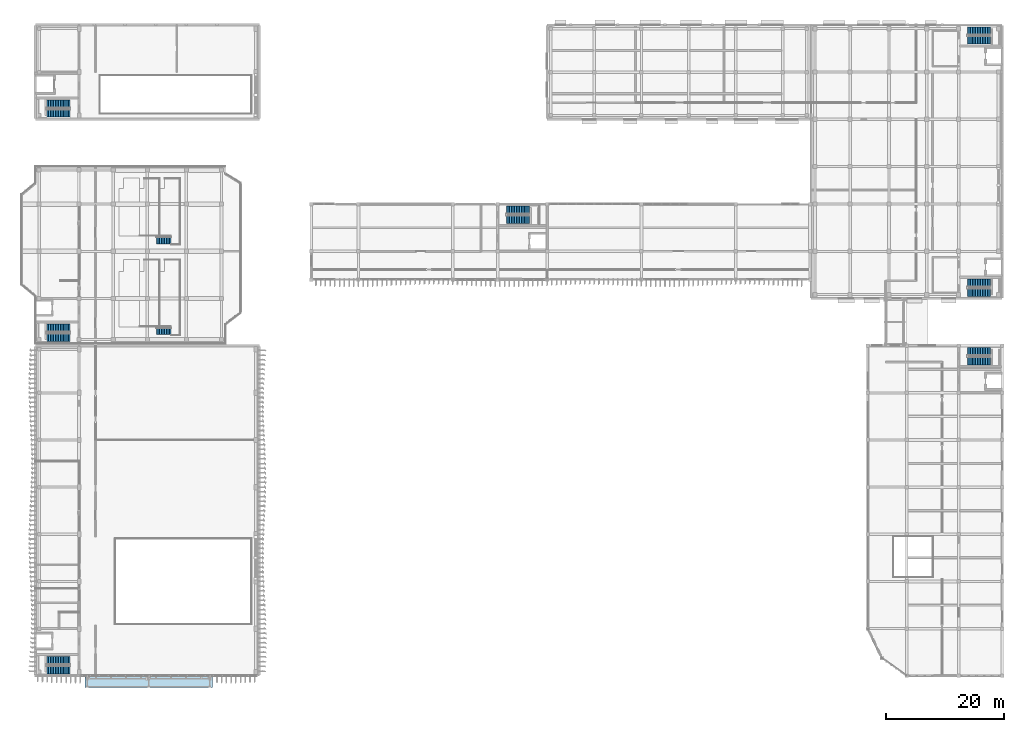
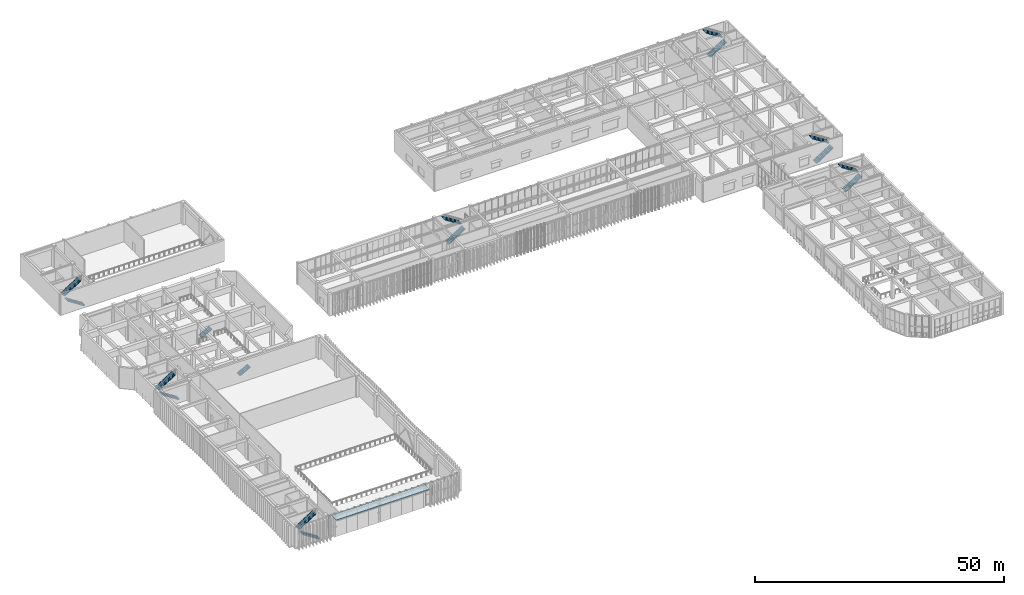
# One storey, part 46 of 64: 16 stair flights, 1 roof, 9 elements without a shape of their own.
"""IFC4 building model written with IfcOpenShell, lengths in metres."""

import ifcopenshell
import ifcopenshell.guid

model = None  # the IFC model being written
_history = None  # IfcOwnerHistory: only IFC2X3 demands one
_inside = {}  # id of a spatial element -> (the spatial element, [elements in it])
_under = {}  # id of a project, library or spatial element -> (it, [spatial elements below it])
_declared = {}  # id of a project -> (the project, [libraries it declares])
_typed = {}  # id of a type object -> (the type object, [elements of that type])
_made_of = {}  # id of a material, layer set ... -> (it, [elements and type objects made of it])


def new_model(schema):
    """Start an empty IFC model of exactly this schema.

    Asked for "IFC4X3", IfcOpenShell would pick the latest addendum, in which some entities
    have other attributes; the version numbers below select the first issue.
    IFC2X3 requires an IfcOwnerHistory on every rooted entity: one is made here for all.
    """
    global model, _history
    if schema == "IFC4X3":
        model = ifcopenshell.file(schema_version=(4, 3, 0, 0))
    else:
        model = ifcopenshell.file(schema=schema)
    _inside.clear()
    _under.clear()
    _declared.clear()
    _typed.clear()
    _made_of.clear()
    _history = None
    if model.schema == "IFC2X3":
        org = make("IfcOrganization", Name="unknown")
        user = make(
            "IfcPersonAndOrganization",
            ThePerson=make("IfcPerson", FamilyName="unknown"),
            TheOrganization=org,
        )
        app = make(
            "IfcApplication",
            ApplicationDeveloper=org,
            Version="unknown",
            ApplicationFullName="unknown",
            ApplicationIdentifier="unknown",
        )
        _history = make(
            "IfcOwnerHistory",
            OwningUser=user,
            OwningApplication=app,
            ChangeAction="ADDED",
            CreationDate=0,
        )
    return model


def make(cls, **values):
    """One entity of the class cls with the attributes given. An attribute that is None is left unset."""
    return model.create_entity(
        cls, **{name: value for name, value in values.items() if value is not None}
    )


def rooted(cls, **values):
    """An entity with a GlobalId (a new one), such as an element, a storey or a relation."""
    return make(cls, GlobalId=ifcopenshell.guid.new(), OwnerHistory=_history, **values)


def si_unit(unit_type, name, prefix=None):
    """IfcSIUnit, for example si_unit("LENGTHUNIT", "METRE", prefix="MILLI")."""
    return make("IfcSIUnit", UnitType=unit_type, Prefix=prefix, Name=name)


def assignment(units):
    """IfcUnitAssignment: the units of a project."""
    return None if units is None else make("IfcUnitAssignment", Units=units)


def point(xyz):
    """IfcCartesianPoint."""
    return None if xyz is None else make("IfcCartesianPoint", Coordinates=xyz)


def direction(xyz):
    """IfcDirection."""
    return None if xyz is None else make("IfcDirection", DirectionRatios=xyz)


def frame(location, z_axis=None, x_axis=None):
    """IfcAxis2Placement3D, a coordinate frame: its origin and axes. An axis left out is left unset."""
    return make(
        "IfcAxis2Placement3D",
        Location=point(location),
        Axis=direction(z_axis),
        RefDirection=direction(x_axis),
    )


def origin():
    """The frame at (0, 0, 0) with its axes left unset."""
    return frame((0.0, 0.0, 0.0))


def place(relative_to, where):
    """IfcLocalPlacement: puts the frame where relative to a parent placement (None: the world)."""
    return make(
        "IfcLocalPlacement", PlacementRelTo=relative_to, RelativePlacement=where
    )


def context(
    kind, dimensions, precision=None, world=None, true_north=None, identifier=None
):
    """IfcGeometricRepresentationContext, for example the 3D "Model" context."""
    return make(
        "IfcGeometricRepresentationContext",
        ContextIdentifier=identifier,
        ContextType=kind,
        CoordinateSpaceDimension=dimensions,
        Precision=precision,
        WorldCoordinateSystem=world,
        TrueNorth=true_north,
    )


def subcontext(parent, identifier, kind, view, scale=None):
    """IfcGeometricRepresentationSubContext, for example "Body" below "Model"."""
    return make(
        "IfcGeometricRepresentationSubContext",
        ContextIdentifier=identifier,
        ContextType=kind,
        ParentContext=parent,
        TargetScale=scale,
        TargetView=view,
    )


def project(units=None, contexts=None):
    """IfcProject with its units and contexts."""
    return rooted(
        "IfcProject",
        Name="project",
        RepresentationContexts=contexts,
        UnitsInContext=assignment(units),
    )


def spatial(cls, under=None, at=None, **own):
    """A site, building, storey or space (cls), placed at a placement, below another one or the project."""
    s = rooted(cls, ObjectPlacement=at, **own)
    if under is not None:
        _under.setdefault(under.id(), (under, []))[1].append(s)
    return s


def polyline(points):
    """IfcPolyline through the points."""
    return make("IfcPolyline", Points=[point(p) for p in points])


def outline(outer, holes=None, kind="AREA"):
    """IfcArbitraryClosedProfileDef: a profile drawn as a closed curve; with holes, ...WithVoids."""
    if holes is None:
        return make("IfcArbitraryClosedProfileDef", ProfileType=kind, OuterCurve=outer)
    return make(
        "IfcArbitraryProfileDefWithVoids",
        ProfileType=kind,
        OuterCurve=outer,
        InnerCurves=holes,
    )


def extrude(swept, where, along, depth):
    """IfcExtrudedAreaSolid: the profile swept, set in the frame where, extruded along a direction by depth."""
    return make(
        "IfcExtrudedAreaSolid",
        SweptArea=swept,
        Position=where,
        ExtrudedDirection=direction(along),
        Depth=depth,
    )


def shape(context_of_items, identifier, shape_type, items):
    """IfcShapeRepresentation: the items that make up one representation, for example the "Body"."""
    return make(
        "IfcShapeRepresentation",
        ContextOfItems=context_of_items,
        RepresentationIdentifier=identifier,
        RepresentationType=shape_type,
        Items=items,
    )


def material(Name=None, Category=None):
    """IfcMaterial."""
    return make("IfcMaterial", Name=Name, Category=Category)


def made_of(thing, what):
    """Note that an element or type object is made of a material, layer set ...; save() writes the relation."""
    if what is not None:
        _made_of.setdefault(what.id(), (what, []))[1].append(thing)
    return thing


def type_object(cls, material=None, **own):
    """A type object (cls), such as IfcWallType, which elements share."""
    return made_of(rooted(cls, **own), material)


def element(
    cls,
    number,
    at=None,
    inside=None,
    cuts=None,
    type_object=None,
    material=None,
    context=None,
    identifier="Body",
    shape_type=None,
    held_by="IfcProductDefinitionShape",
    body=None,
    shapes=None,
    **own,
):
    """One element of the class cls, such as IfcWall. Its Tag is "e" and its number.

    at: its placement. inside: the storey or other place that contains it. cuts: it is an
    opening in that element (IfcRelVoidsElement). A single representation is given by context,
    identifier, shape_type and body (its items); several are given by shapes. held_by: the class
    of the entity that holds the representations. save() writes the other relations.
    """
    e = rooted(cls, Tag="e%d" % number, ObjectPlacement=at, **own)
    if body is not None:
        shapes = [shape(context, identifier, shape_type, body)]
    if shapes is not None:
        e.Representation = make(held_by, Representations=shapes)
    if inside is not None:
        _inside.setdefault(inside.id(), (inside, []))[1].append(e)
    if cuts is not None:
        rooted(
            "IfcRelVoidsElement", RelatingBuildingElement=cuts, RelatedOpeningElement=e
        )
    if type_object is not None:
        _typed.setdefault(type_object.id(), (type_object, []))[1].append(e)
    return made_of(e, material)


def aggregate(whole, parts):
    """IfcRelAggregates: a whole, such as a stair, and the parts it consists of."""
    return rooted("IfcRelAggregates", RelatingObject=whole, RelatedObjects=parts)


def save(model, path):
    """Write the relations noted so far, then the file.

    IfcRelAggregates (storeys below a building ...), IfcRelContainedInSpatialStructure (elements
    in a storey), IfcRelDefinesByType, IfcRelAssociatesMaterial and IfcRelDeclares: one each for
    every whole, place, type object, material and project.
    """
    for whole, parts in _under.values():
        aggregate(whole, parts)
    for where, things in _inside.values():
        rooted(
            "IfcRelContainedInSpatialStructure",
            RelatedElements=things,
            RelatingStructure=where,
        )
    for kind, things in _typed.values():
        rooted("IfcRelDefinesByType", RelatedObjects=things, RelatingType=kind)
    for what, things in _made_of.values():
        rooted("IfcRelAssociatesMaterial", RelatedObjects=things, RelatingMaterial=what)
    for by, libraries in _declared.values():
        rooted("IfcRelDeclares", RelatingContext=by, RelatedDefinitions=libraries)
    model.write(path)


model = new_model("IFC4")

# Units and contexts
model_context = context("Model", 3, precision=1e-05, world=origin(), true_north=direction((0.0, 1.0)))
body_context = subcontext(model_context, "Body", "Model", "MODEL_VIEW")
ifc_project = project(units=[si_unit("LENGTHUNIT", "METRE"), si_unit("AREAUNIT", "SQUARE_METRE"), si_unit("VOLUMEUNIT", "CUBIC_METRE"), si_unit("PLANEANGLEUNIT", "RADIAN"), si_unit("MASSUNIT", "GRAM", prefix="KILO")], contexts=[model_context])

# Site, building, storey
site_placement = place(None, origin())
site = spatial("IfcSite", under=ifc_project, at=site_placement, CompositionType="ELEMENT")
building_placement = place(site_placement, origin())
building = spatial("IfcBuilding", under=site, at=building_placement, Name="Cinchona Park Media Centre", CompositionType="ELEMENT")
storey_placement = place(building_placement, frame((0.0, 0.0, 10.199951171875)))
storey = spatial("IfcBuildingStorey", under=building, at=storey_placement, Name="L02", CompositionType="ELEMENT", Elevation=10.199951171875)

# Stair, stair flights
ifc_material_1 = material(Name="Concrete C35/45", Category="concrete")
stair_type_1 = type_object("IfcStairType", Name="STAIR-ST1-HT54", PredefinedType="HALF_TURN_STAIR", material=ifc_material_1)
stair_1_placement = place(storey_placement, origin())
stair_1 = element("IfcStair", 1, at=stair_1_placement, inside=storey, type_object=stair_type_1, Name="Exit Stair ST1 L02", PredefinedType="HALF_TURN_STAIR")
ifc_material_2 = material(Name="Concrete C35/45", Category="concrete")
stair_flight_type_1 = type_object("IfcStairFlightType", Name="FLIGHT-ST1", PredefinedType="STRAIGHT", material=ifc_material_2)
stair_flight_1_placement = place(storey_placement, frame((166.10009765625, 72.6201171875, 0.0), z_axis=(0.0, 0.0, 1.0), x_axis=(1.0, 0.0, 0.0)))
stair_flight_1 = element("IfcStairFlight", 2, at=stair_flight_1_placement, type_object=stair_flight_type_1, Name="ST1 flight 1", NumberOfRisers=15, NumberOfTreads=14, PredefinedType="STRAIGHT", RiserHeight=0.18, TreadLength=0.28, context=body_context, shape_type="SweptSolid", body=[
    extrude(outline(polyline([(0.0, 0.0), (0.0, 0.179931640625), (0.280029296875, 0.179931640625), (0.280029296875, 0.360107421875), (0.56005859375, 0.360107421875), (0.56005859375, 0.5400390625), (0.840087890625, 0.5400390625), (0.840087890625, 0.719970703125), (1.1201171875, 0.719970703125), (1.1201171875, 0.89990234375), (1.39990234375, 0.89990234375), (1.39990234375, 1.080078125), (1.679931640625, 1.080078125), (1.679931640625, 1.260009765625), (1.9599609375, 1.260009765625), (1.9599609375, 1.43994140625), (2.239990234375, 1.43994140625), (2.239990234375, 1.6201171875), (2.52001953125, 1.6201171875), (2.52001953125, 1.800048828125), (2.800048828125, 1.800048828125), (2.800048828125, 1.97998046875), (3.080078125, 1.97998046875), (3.080078125, 2.159912109375), (3.360107421875, 2.159912109375), (3.360107421875, 2.340087890625), (3.639892578125, 2.340087890625), (3.639892578125, 2.52001953125), (3.919921875, 2.52001953125), (3.919921875, 2.699951171875), (3.919921875, 2.329833984375), (0.295654296875, 0.0), (0.0, 0.0)])), frame((0.0, 0.68017578125, 0.0), z_axis=(0.0, -1.0, 0.0), x_axis=(1.0, 0.0, 0.0)), (0.0, 0.0, 1.0), 1.360107421875),
])
stair_flight_2_placement = place(storey_placement, frame((170.02001953125, 74.179931640625, 2.699951171875), z_axis=(0.0, 0.0, 1.0), x_axis=(-1.0, 0.0, 0.0)))
stair_flight_2 = element("IfcStairFlight", 3, at=stair_flight_2_placement, type_object=stair_flight_type_1, Name="ST1 flight 2", NumberOfRisers=15, NumberOfTreads=14, PredefinedType="STRAIGHT", RiserHeight=0.18, TreadLength=0.28, context=body_context, shape_type="SweptSolid", body=[
    extrude(outline(polyline([(0.0, 0.0), (0.0, 0.179931640625), (0.280029296875, 0.179931640625), (0.280029296875, 0.360107421875), (0.56005859375, 0.360107421875), (0.56005859375, 0.5400390625), (0.840087890625, 0.5400390625), (0.840087890625, 0.719970703125), (1.1201171875, 0.719970703125), (1.1201171875, 0.89990234375), (1.39990234375, 0.89990234375), (1.39990234375, 1.080078125), (1.679931640625, 1.080078125), (1.679931640625, 1.260009765625), (1.9599609375, 1.260009765625), (1.9599609375, 1.43994140625), (2.239990234375, 1.43994140625), (2.239990234375, 1.6201171875), (2.52001953125, 1.6201171875), (2.52001953125, 1.800048828125), (2.800048828125, 1.800048828125), (2.800048828125, 1.97998046875), (3.080078125, 1.97998046875), (3.080078125, 2.159912109375), (3.360107421875, 2.159912109375), (3.360107421875, 2.340087890625), (3.639892578125, 2.340087890625), (3.639892578125, 2.52001953125), (3.919921875, 2.52001953125), (3.919921875, 2.699951171875), (3.919921875, 2.329833984375), (0.295654296875, 0.0), (0.0, 0.0)])), frame((0.0, 0.68017578125, 0.0), z_axis=(0.0, -1.0, 0.0), x_axis=(1.0, 0.0, 0.0)), (0.0, 0.0, 1.0), 1.360107421875),
])
aggregate(stair_1, [stair_flight_1, stair_flight_2])

ifc_material_3 = material(Name="Concrete C35/45", Category="concrete")
stair_type_2 = type_object("IfcStairType", Name="STAIR-ST2-HT54", PredefinedType="HALF_TURN_STAIR", material=ifc_material_3)
stair_2_placement = place(storey_placement, origin())
stair_2 = element("IfcStair", 4, at=stair_2_placement, inside=storey, type_object=stair_type_2, Name="Exit Stair ST2 L02", PredefinedType="HALF_TURN_STAIR")
ifc_material_4 = material(Name="Concrete C35/45", Category="concrete")
stair_flight_type_2 = type_object("IfcStairFlightType", Name="FLIGHT-ST2", PredefinedType="STRAIGHT", material=ifc_material_4)
stair_flight_3_placement = place(storey_placement, frame((166.10009765625, 115.419921875, 0.0), z_axis=(0.0, 0.0, 1.0), x_axis=(1.0, 0.0, 0.0)))
stair_flight_3 = element("IfcStairFlight", 5, at=stair_flight_3_placement, type_object=stair_flight_type_2, Name="ST2 flight 1", NumberOfRisers=15, NumberOfTreads=14, PredefinedType="STRAIGHT", RiserHeight=0.18, TreadLength=0.28, context=body_context, shape_type="SweptSolid", body=[
    extrude(outline(polyline([(0.0, 0.0), (0.0, 0.179931640625), (0.280029296875, 0.179931640625), (0.280029296875, 0.360107421875), (0.56005859375, 0.360107421875), (0.56005859375, 0.5400390625), (0.840087890625, 0.5400390625), (0.840087890625, 0.719970703125), (1.1201171875, 0.719970703125), (1.1201171875, 0.89990234375), (1.39990234375, 0.89990234375), (1.39990234375, 1.080078125), (1.679931640625, 1.080078125), (1.679931640625, 1.260009765625), (1.9599609375, 1.260009765625), (1.9599609375, 1.43994140625), (2.239990234375, 1.43994140625), (2.239990234375, 1.6201171875), (2.52001953125, 1.6201171875), (2.52001953125, 1.800048828125), (2.800048828125, 1.800048828125), (2.800048828125, 1.97998046875), (3.080078125, 1.97998046875), (3.080078125, 2.159912109375), (3.360107421875, 2.159912109375), (3.360107421875, 2.340087890625), (3.639892578125, 2.340087890625), (3.639892578125, 2.52001953125), (3.919921875, 2.52001953125), (3.919921875, 2.699951171875), (3.919921875, 2.329833984375), (0.295654296875, 0.0), (0.0, 0.0)])), frame((0.0, 0.68017578125, 0.0), z_axis=(0.0, -1.0, 0.0), x_axis=(1.0, 0.0, 0.0)), (0.0, 0.0, 1.0), 1.360107421875),
])
stair_flight_4_placement = place(storey_placement, frame((170.02001953125, 116.97998046875, 2.699951171875), z_axis=(0.0, 0.0, 1.0), x_axis=(-1.0, 0.0, 0.0)))
stair_flight_4 = element("IfcStairFlight", 6, at=stair_flight_4_placement, type_object=stair_flight_type_2, Name="ST2 flight 2", NumberOfRisers=15, NumberOfTreads=14, PredefinedType="STRAIGHT", RiserHeight=0.18, TreadLength=0.28, context=body_context, shape_type="SweptSolid", body=[
    extrude(outline(polyline([(0.0, 0.0), (0.0, 0.179931640625), (0.280029296875, 0.179931640625), (0.280029296875, 0.360107421875), (0.56005859375, 0.360107421875), (0.56005859375, 0.5400390625), (0.840087890625, 0.5400390625), (0.840087890625, 0.719970703125), (1.1201171875, 0.719970703125), (1.1201171875, 0.89990234375), (1.39990234375, 0.89990234375), (1.39990234375, 1.080078125), (1.679931640625, 1.080078125), (1.679931640625, 1.260009765625), (1.9599609375, 1.260009765625), (1.9599609375, 1.43994140625), (2.239990234375, 1.43994140625), (2.239990234375, 1.6201171875), (2.52001953125, 1.6201171875), (2.52001953125, 1.800048828125), (2.800048828125, 1.800048828125), (2.800048828125, 1.97998046875), (3.080078125, 1.97998046875), (3.080078125, 2.159912109375), (3.360107421875, 2.159912109375), (3.360107421875, 2.340087890625), (3.639892578125, 2.340087890625), (3.639892578125, 2.52001953125), (3.919921875, 2.52001953125), (3.919921875, 2.699951171875), (3.919921875, 2.329833984375), (0.295654296875, 0.0), (0.0, 0.0)])), frame((0.0, 0.68017578125, 0.0), z_axis=(0.0, -1.0, 0.0), x_axis=(1.0, 0.0, 0.0)), (0.0, 0.0, 1.0), 1.360107421875),
])
aggregate(stair_2, [stair_flight_3, stair_flight_4])

ifc_material_5 = material(Name="Concrete C35/45", Category="concrete")
stair_type_3 = type_object("IfcStairType", Name="STAIR-ST3-HT54", PredefinedType="HALF_TURN_STAIR", material=ifc_material_5)
stair_3_placement = place(storey_placement, origin())
stair_3 = element("IfcStair", 7, at=stair_3_placement, inside=storey, type_object=stair_type_3, Name="Exit Stair ST3 L02", PredefinedType="HALF_TURN_STAIR")
ifc_material_6 = material(Name="Concrete C35/45", Category="concrete")
stair_flight_type_3 = type_object("IfcStairFlightType", Name="FLIGHT-ST3", PredefinedType="STRAIGHT", material=ifc_material_6)
stair_flight_5_placement = place(storey_placement, frame((13.89990234375, 65.02001953125, 0.0), z_axis=(0.0, 0.0, 1.0), x_axis=(-1.0, 0.0, 0.0)))
stair_flight_5 = element("IfcStairFlight", 8, at=stair_flight_5_placement, type_object=stair_flight_type_3, Name="ST3 flight 1", NumberOfRisers=15, NumberOfTreads=14, PredefinedType="STRAIGHT", RiserHeight=0.18, TreadLength=0.28, context=body_context, shape_type="SweptSolid", body=[
    extrude(outline(polyline([(0.0, 0.0), (0.0, 0.179931640625), (0.280029296875, 0.179931640625), (0.280029296875, 0.360107421875), (0.56005859375, 0.360107421875), (0.56005859375, 0.5400390625), (0.840087890625, 0.5400390625), (0.840087890625, 0.719970703125), (1.1201171875, 0.719970703125), (1.1201171875, 0.89990234375), (1.39990234375, 0.89990234375), (1.39990234375, 1.080078125), (1.679931640625, 1.080078125), (1.679931640625, 1.260009765625), (1.9599609375, 1.260009765625), (1.9599609375, 1.43994140625), (2.239990234375, 1.43994140625), (2.239990234375, 1.6201171875), (2.52001953125, 1.6201171875), (2.52001953125, 1.800048828125), (2.800048828125, 1.800048828125), (2.800048828125, 1.97998046875), (3.080078125, 1.97998046875), (3.080078125, 2.159912109375), (3.360107421875, 2.159912109375), (3.360107421875, 2.340087890625), (3.639892578125, 2.340087890625), (3.639892578125, 2.52001953125), (3.919921875, 2.52001953125), (3.919921875, 2.699951171875), (3.919921875, 2.329833984375), (0.295654296875, 0.0), (0.0, 0.0)])), frame((0.0, 0.68017578125, 0.0), z_axis=(0.0, -1.0, 0.0), x_axis=(1.0, 0.0, 0.0)), (0.0, 0.0, 1.0), 1.360107421875),
])
stair_flight_6_placement = place(storey_placement, frame((9.97998046875, 66.580078125, 2.699951171875), z_axis=(0.0, 0.0, 1.0), x_axis=(1.0, 0.0, 0.0)))
stair_flight_6 = element("IfcStairFlight", 9, at=stair_flight_6_placement, type_object=stair_flight_type_3, Name="ST3 flight 2", NumberOfRisers=15, NumberOfTreads=14, PredefinedType="STRAIGHT", RiserHeight=0.18, TreadLength=0.28, context=body_context, shape_type="SweptSolid", body=[
    extrude(outline(polyline([(0.0, 0.0), (0.0, 0.179931640625), (0.280029296875, 0.179931640625), (0.280029296875, 0.360107421875), (0.56005859375, 0.360107421875), (0.56005859375, 0.5400390625), (0.840087890625, 0.5400390625), (0.840087890625, 0.719970703125), (1.1201171875, 0.719970703125), (1.1201171875, 0.89990234375), (1.39990234375, 0.89990234375), (1.39990234375, 1.080078125), (1.679931640625, 1.080078125), (1.679931640625, 1.260009765625), (1.9599609375, 1.260009765625), (1.9599609375, 1.43994140625), (2.239990234375, 1.43994140625), (2.239990234375, 1.6201171875), (2.52001953125, 1.6201171875), (2.52001953125, 1.800048828125), (2.800048828125, 1.800048828125), (2.800048828125, 1.97998046875), (3.080078125, 1.97998046875), (3.080078125, 2.159912109375), (3.360107421875, 2.159912109375), (3.360107421875, 2.340087890625), (3.639892578125, 2.340087890625), (3.639892578125, 2.52001953125), (3.919921875, 2.52001953125), (3.919921875, 2.699951171875), (3.919921875, 2.329833984375), (0.295654296875, 0.0), (0.0, 0.0)])), frame((0.0, 0.68017578125, 0.0), z_axis=(0.0, -1.0, 0.0), x_axis=(1.0, 0.0, 0.0)), (0.0, 0.0, 1.0), 1.360107421875),
])
aggregate(stair_3, [stair_flight_5, stair_flight_6])

ifc_material_7 = material(Name="Concrete C35/45", Category="concrete")
stair_type_4 = type_object("IfcStairType", Name="STAIR-ST4-HT54", PredefinedType="HALF_TURN_STAIR", material=ifc_material_7)
stair_4_placement = place(storey_placement, origin())
stair_4 = element("IfcStair", 10, at=stair_4_placement, inside=storey, type_object=stair_type_4, Name="Exit Stair ST4 L02", PredefinedType="HALF_TURN_STAIR")
ifc_material_8 = material(Name="Concrete C35/45", Category="concrete")
stair_flight_type_4 = type_object("IfcStairFlightType", Name="FLIGHT-ST4", PredefinedType="STRAIGHT", material=ifc_material_8)
stair_flight_7_placement = place(storey_placement, frame((13.89990234375, 103.02001953125, 0.0), z_axis=(0.0, 0.0, 1.0), x_axis=(-1.0, 0.0, 0.0)))
stair_flight_7 = element("IfcStairFlight", 11, at=stair_flight_7_placement, type_object=stair_flight_type_4, Name="ST4 flight 1", NumberOfRisers=15, NumberOfTreads=14, PredefinedType="STRAIGHT", RiserHeight=0.18, TreadLength=0.28, context=body_context, shape_type="SweptSolid", body=[
    extrude(outline(polyline([(0.0, 0.0), (0.0, 0.179931640625), (0.280029296875, 0.179931640625), (0.280029296875, 0.360107421875), (0.56005859375, 0.360107421875), (0.56005859375, 0.5400390625), (0.840087890625, 0.5400390625), (0.840087890625, 0.719970703125), (1.1201171875, 0.719970703125), (1.1201171875, 0.89990234375), (1.39990234375, 0.89990234375), (1.39990234375, 1.080078125), (1.679931640625, 1.080078125), (1.679931640625, 1.260009765625), (1.9599609375, 1.260009765625), (1.9599609375, 1.43994140625), (2.239990234375, 1.43994140625), (2.239990234375, 1.6201171875), (2.52001953125, 1.6201171875), (2.52001953125, 1.800048828125), (2.800048828125, 1.800048828125), (2.800048828125, 1.97998046875), (3.080078125, 1.97998046875), (3.080078125, 2.159912109375), (3.360107421875, 2.159912109375), (3.360107421875, 2.340087890625), (3.639892578125, 2.340087890625), (3.639892578125, 2.52001953125), (3.919921875, 2.52001953125), (3.919921875, 2.699951171875), (3.919921875, 2.329833984375), (0.295654296875, 0.0), (0.0, 0.0)])), frame((0.0, 0.68017578125, 0.0), z_axis=(0.0, -1.0, 0.0), x_axis=(1.0, 0.0, 0.0)), (0.0, 0.0, 1.0), 1.360107421875),
])
stair_flight_8_placement = place(storey_placement, frame((9.97998046875, 104.580078125, 2.699951171875), z_axis=(0.0, 0.0, 1.0), x_axis=(1.0, 0.0, 0.0)))
stair_flight_8 = element("IfcStairFlight", 12, at=stair_flight_8_placement, type_object=stair_flight_type_4, Name="ST4 flight 2", NumberOfRisers=15, NumberOfTreads=14, PredefinedType="STRAIGHT", RiserHeight=0.18, TreadLength=0.28, context=body_context, shape_type="SweptSolid", body=[
    extrude(outline(polyline([(0.0, 0.0), (0.0, 0.179931640625), (0.280029296875, 0.179931640625), (0.280029296875, 0.360107421875), (0.56005859375, 0.360107421875), (0.56005859375, 0.5400390625), (0.840087890625, 0.5400390625), (0.840087890625, 0.719970703125), (1.1201171875, 0.719970703125), (1.1201171875, 0.89990234375), (1.39990234375, 0.89990234375), (1.39990234375, 1.080078125), (1.679931640625, 1.080078125), (1.679931640625, 1.260009765625), (1.9599609375, 1.260009765625), (1.9599609375, 1.43994140625), (2.239990234375, 1.43994140625), (2.239990234375, 1.6201171875), (2.52001953125, 1.6201171875), (2.52001953125, 1.800048828125), (2.800048828125, 1.800048828125), (2.800048828125, 1.97998046875), (3.080078125, 1.97998046875), (3.080078125, 2.159912109375), (3.360107421875, 2.159912109375), (3.360107421875, 2.340087890625), (3.639892578125, 2.340087890625), (3.639892578125, 2.52001953125), (3.919921875, 2.52001953125), (3.919921875, 2.699951171875), (3.919921875, 2.329833984375), (0.295654296875, 0.0), (0.0, 0.0)])), frame((0.0, 0.68017578125, 0.0), z_axis=(0.0, -1.0, 0.0), x_axis=(1.0, 0.0, 0.0)), (0.0, 0.0, 1.0), 1.360107421875),
])
aggregate(stair_4, [stair_flight_7, stair_flight_8])

ifc_material_9 = material(Name="Concrete C35/45", Category="concrete")
stair_type_5 = type_object("IfcStairType", Name="STAIR-ST5-HT54", PredefinedType="HALF_TURN_STAIR", material=ifc_material_9)
stair_5_placement = place(storey_placement, origin())
stair_5 = element("IfcStair", 13, at=stair_5_placement, inside=storey, type_object=stair_type_5, Name="Exit Stair ST5 L02", PredefinedType="HALF_TURN_STAIR")
ifc_material_10 = material(Name="Concrete C35/45", Category="concrete")
stair_flight_type_5 = type_object("IfcStairFlightType", Name="FLIGHT-ST5", PredefinedType="STRAIGHT", material=ifc_material_10)
stair_flight_9_placement = place(storey_placement, frame((87.89990234375, 85.02001953125, 0.0), z_axis=(0.0, 0.0, 1.0), x_axis=(1.0, 0.0, 0.0)))
stair_flight_9 = element("IfcStairFlight", 14, at=stair_flight_9_placement, type_object=stair_flight_type_5, Name="ST5 flight 1", NumberOfRisers=15, NumberOfTreads=14, PredefinedType="STRAIGHT", RiserHeight=0.18, TreadLength=0.28, context=body_context, shape_type="SweptSolid", body=[
    extrude(outline(polyline([(0.0, 0.0), (0.0, 0.179931640625), (0.280029296875, 0.179931640625), (0.280029296875, 0.360107421875), (0.56005859375, 0.360107421875), (0.56005859375, 0.5400390625), (0.840087890625, 0.5400390625), (0.840087890625, 0.719970703125), (1.1201171875, 0.719970703125), (1.1201171875, 0.89990234375), (1.39990234375, 0.89990234375), (1.39990234375, 1.080078125), (1.679931640625, 1.080078125), (1.679931640625, 1.260009765625), (1.9599609375, 1.260009765625), (1.9599609375, 1.43994140625), (2.239990234375, 1.43994140625), (2.239990234375, 1.6201171875), (2.52001953125, 1.6201171875), (2.52001953125, 1.800048828125), (2.800048828125, 1.800048828125), (2.800048828125, 1.97998046875), (3.080078125, 1.97998046875), (3.080078125, 2.159912109375), (3.360107421875, 2.159912109375), (3.360107421875, 2.340087890625), (3.639892578125, 2.340087890625), (3.639892578125, 2.52001953125), (3.919921875, 2.52001953125), (3.919921875, 2.699951171875), (3.919921875, 2.329833984375), (0.295654296875, 0.0), (0.0, 0.0)])), frame((0.0, 0.68017578125, 0.0), z_axis=(0.0, -1.0, 0.0), x_axis=(1.0, 0.0, 0.0)), (0.0, 0.0, 1.0), 1.360107421875),
])
stair_flight_10_placement = place(storey_placement, frame((91.820068359375, 86.580078125, 2.699951171875), z_axis=(0.0, 0.0, 1.0), x_axis=(-1.0, 0.0, 0.0)))
stair_flight_10 = element("IfcStairFlight", 15, at=stair_flight_10_placement, type_object=stair_flight_type_5, Name="ST5 flight 2", NumberOfRisers=15, NumberOfTreads=14, PredefinedType="STRAIGHT", RiserHeight=0.18, TreadLength=0.28, context=body_context, shape_type="SweptSolid", body=[
    extrude(outline(polyline([(0.0, 0.0), (0.0, 0.179931640625), (0.280029296875, 0.179931640625), (0.280029296875, 0.360107421875), (0.56005859375, 0.360107421875), (0.56005859375, 0.5400390625), (0.840087890625, 0.5400390625), (0.840087890625, 0.719970703125), (1.1201171875, 0.719970703125), (1.1201171875, 0.89990234375), (1.39990234375, 0.89990234375), (1.39990234375, 1.080078125), (1.679931640625, 1.080078125), (1.679931640625, 1.260009765625), (1.9599609375, 1.260009765625), (1.9599609375, 1.43994140625), (2.239990234375, 1.43994140625), (2.239990234375, 1.6201171875), (2.52001953125, 1.6201171875), (2.52001953125, 1.800048828125), (2.800048828125, 1.800048828125), (2.800048828125, 1.97998046875), (3.080078125, 1.97998046875), (3.080078125, 2.159912109375), (3.360107421875, 2.159912109375), (3.360107421875, 2.340087890625), (3.639892578125, 2.340087890625), (3.639892578125, 2.52001953125), (3.919921875, 2.52001953125), (3.919921875, 2.699951171875), (3.919921875, 2.329833984375), (0.295654296875, 0.0), (0.0, 0.0)])), frame((0.0, 0.68017578125, 0.0), z_axis=(0.0, -1.0, 0.0), x_axis=(1.0, 0.0, 0.0)), (0.0, 0.0, 1.0), 1.360107421875),
])
aggregate(stair_5, [stair_flight_9, stair_flight_10])

ifc_material_11 = material(Name="Concrete C35/45", Category="concrete")
stair_type_6 = type_object("IfcStairType", Name="STAIR-ST6-HT54", PredefinedType="HALF_TURN_STAIR", material=ifc_material_11)
stair_6_placement = place(storey_placement, origin())
stair_6 = element("IfcStair", 16, at=stair_6_placement, inside=storey, type_object=stair_type_6, Name="Exit Stair ST6 L02", PredefinedType="HALF_TURN_STAIR")
ifc_material_12 = material(Name="Concrete C35/45", Category="concrete")
stair_flight_type_6 = type_object("IfcStairFlightType", Name="FLIGHT-ST6", PredefinedType="STRAIGHT", material=ifc_material_12)
stair_flight_11_placement = place(storey_placement, frame((13.89990234375, 8.6201171875, 0.0), z_axis=(0.0, 0.0, 1.0), x_axis=(-1.0, 0.0, 0.0)))
stair_flight_11 = element("IfcStairFlight", 17, at=stair_flight_11_placement, type_object=stair_flight_type_6, Name="ST6 flight 1", NumberOfRisers=15, NumberOfTreads=14, PredefinedType="STRAIGHT", RiserHeight=0.18, TreadLength=0.28, context=body_context, shape_type="SweptSolid", body=[
    extrude(outline(polyline([(0.0, 0.0), (0.0, 0.179931640625), (0.280029296875, 0.179931640625), (0.280029296875, 0.360107421875), (0.56005859375, 0.360107421875), (0.56005859375, 0.5400390625), (0.840087890625, 0.5400390625), (0.840087890625, 0.719970703125), (1.1201171875, 0.719970703125), (1.1201171875, 0.89990234375), (1.39990234375, 0.89990234375), (1.39990234375, 1.080078125), (1.679931640625, 1.080078125), (1.679931640625, 1.260009765625), (1.9599609375, 1.260009765625), (1.9599609375, 1.43994140625), (2.239990234375, 1.43994140625), (2.239990234375, 1.6201171875), (2.52001953125, 1.6201171875), (2.52001953125, 1.800048828125), (2.800048828125, 1.800048828125), (2.800048828125, 1.97998046875), (3.080078125, 1.97998046875), (3.080078125, 2.159912109375), (3.360107421875, 2.159912109375), (3.360107421875, 2.340087890625), (3.639892578125, 2.340087890625), (3.639892578125, 2.52001953125), (3.919921875, 2.52001953125), (3.919921875, 2.699951171875), (3.919921875, 2.329833984375), (0.295654296875, 0.0), (0.0, 0.0)])), frame((0.0, 0.68017578125, 0.0), z_axis=(0.0, -1.0, 0.0), x_axis=(1.0, 0.0, 0.0)), (0.0, 0.0, 1.0), 1.360107421875),
])
stair_flight_12_placement = place(storey_placement, frame((9.97998046875, 10.179931640625, 2.699951171875), z_axis=(0.0, 0.0, 1.0), x_axis=(1.0, 0.0, 0.0)))
stair_flight_12 = element("IfcStairFlight", 18, at=stair_flight_12_placement, type_object=stair_flight_type_6, Name="ST6 flight 2", NumberOfRisers=15, NumberOfTreads=14, PredefinedType="STRAIGHT", RiserHeight=0.18, TreadLength=0.28, context=body_context, shape_type="SweptSolid", body=[
    extrude(outline(polyline([(0.0, 0.0), (0.0, 0.179931640625), (0.280029296875, 0.179931640625), (0.280029296875, 0.360107421875), (0.56005859375, 0.360107421875), (0.56005859375, 0.5400390625), (0.840087890625, 0.5400390625), (0.840087890625, 0.719970703125), (1.1201171875, 0.719970703125), (1.1201171875, 0.89990234375), (1.39990234375, 0.89990234375), (1.39990234375, 1.080078125), (1.679931640625, 1.080078125), (1.679931640625, 1.260009765625), (1.9599609375, 1.260009765625), (1.9599609375, 1.43994140625), (2.239990234375, 1.43994140625), (2.239990234375, 1.6201171875), (2.52001953125, 1.6201171875), (2.52001953125, 1.800048828125), (2.800048828125, 1.800048828125), (2.800048828125, 1.97998046875), (3.080078125, 1.97998046875), (3.080078125, 2.159912109375), (3.360107421875, 2.159912109375), (3.360107421875, 2.340087890625), (3.639892578125, 2.340087890625), (3.639892578125, 2.52001953125), (3.919921875, 2.52001953125), (3.919921875, 2.699951171875), (3.919921875, 2.329833984375), (0.295654296875, 0.0), (0.0, 0.0)])), frame((0.0, 0.68017578125, 0.0), z_axis=(0.0, -1.0, 0.0), x_axis=(1.0, 0.0, 0.0)), (0.0, 0.0, 1.0), 1.360107421875),
])
aggregate(stair_6, [stair_flight_11, stair_flight_12])

ifc_material_13 = material(Name="Concrete C35/45", Category="concrete")
stair_type_7 = type_object("IfcStairType", Name="STAIR-ST7-HT54", PredefinedType="HALF_TURN_STAIR", material=ifc_material_13)
stair_7_placement = place(storey_placement, origin())
stair_7 = element("IfcStair", 19, at=stair_7_placement, inside=storey, type_object=stair_type_7, Name="Exit Stair ST7 L02", PredefinedType="HALF_TURN_STAIR")
ifc_material_14 = material(Name="Concrete C35/45", Category="concrete")
stair_flight_type_7 = type_object("IfcStairFlightType", Name="FLIGHT-ST7", PredefinedType="STRAIGHT", material=ifc_material_14)
stair_flight_13_placement = place(storey_placement, frame((166.10009765625, 61.02001953125, 0.0), z_axis=(0.0, 0.0, 1.0), x_axis=(1.0, 0.0, 0.0)))
stair_flight_13 = element("IfcStairFlight", 20, at=stair_flight_13_placement, type_object=stair_flight_type_7, Name="ST7 flight 1", NumberOfRisers=15, NumberOfTreads=14, PredefinedType="STRAIGHT", RiserHeight=0.18, TreadLength=0.28, context=body_context, shape_type="SweptSolid", body=[
    extrude(outline(polyline([(0.0, 0.0), (0.0, 0.179931640625), (0.280029296875, 0.179931640625), (0.280029296875, 0.360107421875), (0.56005859375, 0.360107421875), (0.56005859375, 0.5400390625), (0.840087890625, 0.5400390625), (0.840087890625, 0.719970703125), (1.1201171875, 0.719970703125), (1.1201171875, 0.89990234375), (1.39990234375, 0.89990234375), (1.39990234375, 1.080078125), (1.679931640625, 1.080078125), (1.679931640625, 1.260009765625), (1.9599609375, 1.260009765625), (1.9599609375, 1.43994140625), (2.239990234375, 1.43994140625), (2.239990234375, 1.6201171875), (2.52001953125, 1.6201171875), (2.52001953125, 1.800048828125), (2.800048828125, 1.800048828125), (2.800048828125, 1.97998046875), (3.080078125, 1.97998046875), (3.080078125, 2.159912109375), (3.360107421875, 2.159912109375), (3.360107421875, 2.340087890625), (3.639892578125, 2.340087890625), (3.639892578125, 2.52001953125), (3.919921875, 2.52001953125), (3.919921875, 2.699951171875), (3.919921875, 2.329833984375), (0.295654296875, 0.0), (0.0, 0.0)])), frame((0.0, 0.68017578125, 0.0), z_axis=(0.0, -1.0, 0.0), x_axis=(1.0, 0.0, 0.0)), (0.0, 0.0, 1.0), 1.360107421875),
])
stair_flight_14_placement = place(storey_placement, frame((170.02001953125, 62.580078125, 2.699951171875), z_axis=(0.0, 0.0, 1.0), x_axis=(-1.0, 0.0, 0.0)))
stair_flight_14 = element("IfcStairFlight", 21, at=stair_flight_14_placement, type_object=stair_flight_type_7, Name="ST7 flight 2", NumberOfRisers=15, NumberOfTreads=14, PredefinedType="STRAIGHT", RiserHeight=0.18, TreadLength=0.28, context=body_context, shape_type="SweptSolid", body=[
    extrude(outline(polyline([(0.0, 0.0), (0.0, 0.179931640625), (0.280029296875, 0.179931640625), (0.280029296875, 0.360107421875), (0.56005859375, 0.360107421875), (0.56005859375, 0.5400390625), (0.840087890625, 0.5400390625), (0.840087890625, 0.719970703125), (1.1201171875, 0.719970703125), (1.1201171875, 0.89990234375), (1.39990234375, 0.89990234375), (1.39990234375, 1.080078125), (1.679931640625, 1.080078125), (1.679931640625, 1.260009765625), (1.9599609375, 1.260009765625), (1.9599609375, 1.43994140625), (2.239990234375, 1.43994140625), (2.239990234375, 1.6201171875), (2.52001953125, 1.6201171875), (2.52001953125, 1.800048828125), (2.800048828125, 1.800048828125), (2.800048828125, 1.97998046875), (3.080078125, 1.97998046875), (3.080078125, 2.159912109375), (3.360107421875, 2.159912109375), (3.360107421875, 2.340087890625), (3.639892578125, 2.340087890625), (3.639892578125, 2.52001953125), (3.919921875, 2.52001953125), (3.919921875, 2.699951171875), (3.919921875, 2.329833984375), (0.295654296875, 0.0), (0.0, 0.0)])), frame((0.0, 0.68017578125, 0.0), z_axis=(0.0, -1.0, 0.0), x_axis=(1.0, 0.0, 0.0)), (0.0, 0.0, 1.0), 1.360107421875),
])
aggregate(stair_7, [stair_flight_13, stair_flight_14])

# Stair, stair flight
ifc_material_15 = material(Name="Concrete C35/45", Category="concrete")
stair_type_8 = type_object("IfcStairType", Name="STAIR-SVM4", PredefinedType="STRAIGHT_RUN_STAIR", material=ifc_material_15)
stair_8_placement = place(storey_placement, origin())
stair_8 = element("IfcStair", 22, at=stair_8_placement, inside=storey, type_object=stair_type_8, Name="Auditorium Vomitory Stair SVM4 L02", PredefinedType="STRAIGHT_RUN_STAIR")
ifc_material_16 = material(Name="Concrete C35/45", Category="concrete")
stair_flight_type_8 = type_object("IfcStairFlightType", Name="FLIGHT-SVM4", PredefinedType="STRAIGHT", material=ifc_material_16)
stair_flight_15_placement = place(storey_placement, frame((28.52001953125, 66.050048828125, 0.0), z_axis=(0.0, 0.0, 1.0), x_axis=(1.0, 0.0, 0.0)))
stair_flight_15 = element("IfcStairFlight", 23, at=stair_flight_15_placement, type_object=stair_flight_type_8, Name="SVM4 flight 1", NumberOfRisers=10, NumberOfTreads=9, PredefinedType="STRAIGHT", RiserHeight=0.15, TreadLength=0.28, context=body_context, shape_type="SweptSolid", body=[
    extrude(outline(polyline([(0.0, 0.0), (0.0, 0.14990234375), (0.280029296875, 0.14990234375), (0.280029296875, 0.300048828125), (0.56005859375, 0.300048828125), (0.56005859375, 0.449951171875), (0.840087890625, 0.449951171875), (0.840087890625, 0.60009765625), (1.1201171875, 0.60009765625), (1.1201171875, 0.75), (1.39990234375, 0.75), (1.39990234375, 0.89990234375), (1.679931640625, 0.89990234375), (1.679931640625, 1.050048828125), (1.9599609375, 1.050048828125), (1.9599609375, 1.199951171875), (2.239990234375, 1.199951171875), (2.239990234375, 1.35009765625), (2.52001953125, 1.35009765625), (2.52001953125, 1.5), (2.52001953125, 1.168701171875), (0.338623046875, 0.0), (0.0, 0.0)])), frame((0.0, 0.60009765625, 0.0), z_axis=(0.0, -1.0, 0.0), x_axis=(1.0, 0.0, 0.0)), (0.0, 0.0, 1.0), 1.199951171875),
])
aggregate(stair_8, [stair_flight_15])

ifc_material_17 = material(Name="Concrete C35/45", Category="concrete")
stair_type_9 = type_object("IfcStairType", Name="STAIR-SVM5", PredefinedType="STRAIGHT_RUN_STAIR", material=ifc_material_17)
stair_9_placement = place(storey_placement, origin())
stair_9 = element("IfcStair", 24, at=stair_9_placement, inside=storey, type_object=stair_type_9, Name="Auditorium Vomitory Stair SVM5 L02", PredefinedType="STRAIGHT_RUN_STAIR")
ifc_material_18 = material(Name="Concrete C35/45", Category="concrete")
stair_flight_type_9 = type_object("IfcStairFlightType", Name="FLIGHT-SVM5", PredefinedType="STRAIGHT", material=ifc_material_18)
stair_flight_16_placement = place(storey_placement, frame((28.52001953125, 81.449951171875, 0.0), z_axis=(0.0, 0.0, 1.0), x_axis=(1.0, 0.0, 0.0)))
stair_flight_16 = element("IfcStairFlight", 25, at=stair_flight_16_placement, type_object=stair_flight_type_9, Name="SVM5 flight 1", NumberOfRisers=10, NumberOfTreads=9, PredefinedType="STRAIGHT", RiserHeight=0.15, TreadLength=0.28, context=body_context, shape_type="SweptSolid", body=[
    extrude(outline(polyline([(0.0, 0.0), (0.0, 0.14990234375), (0.280029296875, 0.14990234375), (0.280029296875, 0.300048828125), (0.56005859375, 0.300048828125), (0.56005859375, 0.449951171875), (0.840087890625, 0.449951171875), (0.840087890625, 0.60009765625), (1.1201171875, 0.60009765625), (1.1201171875, 0.75), (1.39990234375, 0.75), (1.39990234375, 0.89990234375), (1.679931640625, 0.89990234375), (1.679931640625, 1.050048828125), (1.9599609375, 1.050048828125), (1.9599609375, 1.199951171875), (2.239990234375, 1.199951171875), (2.239990234375, 1.35009765625), (2.52001953125, 1.35009765625), (2.52001953125, 1.5), (2.52001953125, 1.168701171875), (0.338623046875, 0.0), (0.0, 0.0)])), frame((0.0, 0.60009765625, 0.0), z_axis=(0.0, -1.0, 0.0), x_axis=(1.0, 0.0, 0.0)), (0.0, 0.0, 1.0), 1.199951171875),
])
aggregate(stair_9, [stair_flight_16])

# Roof
ifc_material_19 = material(Name="Precast concrete C40/50", Category="concrete")
roof_type = type_object("IfcRoofType", Name="CANOPY-ROOF-EAVE01", PredefinedType="FLAT_ROOF", material=ifc_material_19)
roof_placement = place(storey_placement, frame((0.0, 0.0, 5.0)))
element("IfcRoof", 26, at=roof_placement, inside=storey, type_object=roof_type, Name="Entrance Media Screen Portal Canopy Hood", PredefinedType="FLAT_ROOF", context=body_context, shape_type="SweptSolid", body=[
    extrude(outline(polyline([(16.39990234375, 5.64990234375), (38.0, 5.64990234375), (38.0, 7.60009765625), (16.39990234375, 7.60009765625), (16.39990234375, 5.64990234375)])), origin(), (0.0, 0.0, 1.0), 0.179931640625),
])

save(model, "model.ifc")
